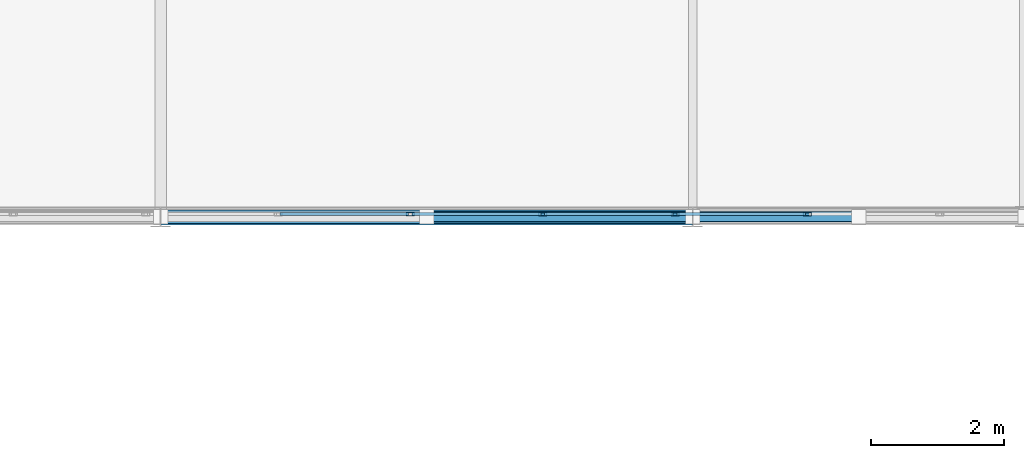
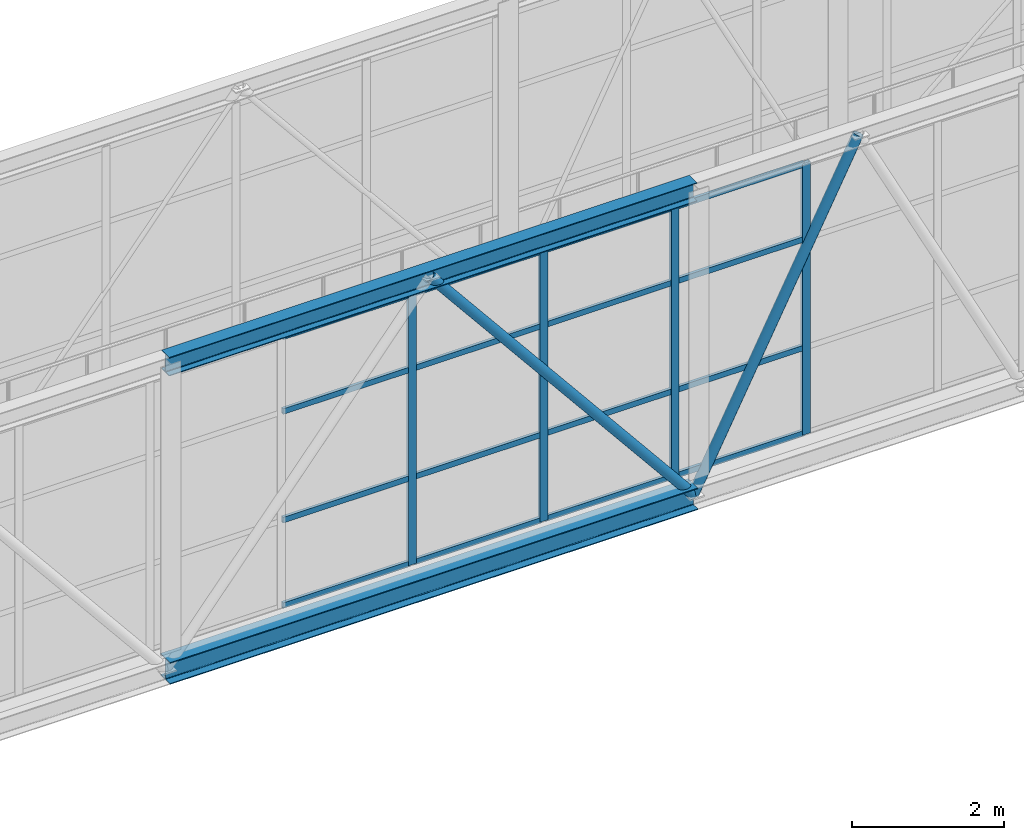
# One storey, part 168 of 248: 24 members, 1 element without a shape of its own.
"""IFC4 building model written with IfcOpenShell, lengths in metres."""

from ifc_helpers import new_model, si_unit, direction, frame, origin, origin_2d, place, context, subcontext, project, spatial, hollow_rectangle, hollow_circle, i_section, extrude, material, layer, layer_set, material_profile, profile_set, type_object, element, aggregate, save


model = new_model("IFC4")

# Units and contexts
model_context = context("Model", 3, precision=1e-05, world=origin(), true_north=direction((0.0, 1.0)))
body_context = subcontext(model_context, "Body", "Model", "MODEL_VIEW")
ifc_project = project(units=[si_unit("LENGTHUNIT", "METRE"), si_unit("AREAUNIT", "SQUARE_METRE"), si_unit("VOLUMEUNIT", "CUBIC_METRE"), si_unit("PLANEANGLEUNIT", "RADIAN"), si_unit("MASSUNIT", "GRAM", prefix="KILO")], contexts=[model_context])

# Site, building, storey
site_placement = place(None, origin())
site = spatial("IfcSite", under=ifc_project, at=site_placement, CompositionType="ELEMENT")
building_placement = place(site_placement, origin())
building = spatial("IfcBuilding", under=site, at=building_placement, Name="Canggui Botanical Conservatory", CompositionType="ELEMENT")
storey_placement = place(building_placement, frame((0.0, 0.0, 5.39990234375)))
storey = spatial("IfcBuildingStorey", under=building, at=storey_placement, Name="L02", CompositionType="ELEMENT", Elevation=5.39990234375)

# Curtain wall, members
ifc_material_1 = material(Name="Thermally Broken Aluminium", Category="aluminium")
ifc_layer = layer(ifc_material_1, 0.1201171875, Name="Thermally Broken Aluminium", Category="aluminium")
ifc_layer_set = layer_set([ifc_layer], Name="Thermally Broken Aluminium")
curtain_wall_type = type_object("IfcCurtainWallType", Name="CW-STICK-B", PredefinedType="USERDEFINED", material=ifc_layer_set)
curtain_wall_placement = place(storey_placement, origin())
curtain_wall = element("IfcCurtainWall", 1, at=curtain_wall_placement, inside=storey, type_object=curtain_wall_type, Name="Facade Curtain Wall CW-SB-04-1", ObjectType="STICK GLAZED WALL", PredefinedType="USERDEFINED")
ifc_material_profile_1 = material_profile(ifc_material_1, hollow_rectangle(XDim=0.054931640625, YDim=0.1201171875, WallThickness=0.0029296875, at=origin_2d()), Name="CWM 55x120x3")
ifc_profile_set_1 = profile_set([ifc_material_profile_1], Name="Thermally Broken Aluminium")
member_type_1 = type_object("IfcMemberType", Name="CWM-05", PredefinedType="MULLION", material=ifc_profile_set_1)
member_1_placement = place(storey_placement, frame((109.25634765625, 75.0400390625, 0.0), z_axis=(0.0, 0.0, 1.0), x_axis=(0.0, 1.0, 0.0)))
member_1 = element("IfcMember", 2, at=member_1_placement, type_object=member_type_1, Name="CW-05 mullion 22", PredefinedType="MULLION", context=body_context, shape_type="SweptSolid", body=[
    extrude(hollow_rectangle(XDim=0.054931640625, YDim=0.1201171875, WallThickness=0.0029296875, at=origin_2d()), origin(), (0.0, 0.0, 1.0), 4.35009765625),
])
member_2_placement = place(storey_placement, frame((111.245849609375, 75.0400390625, 0.0), z_axis=(0.0, 0.0, 1.0), x_axis=(0.0, 1.0, 0.0)))
member_2 = element("IfcMember", 3, at=member_2_placement, type_object=member_type_1, Name="CW-05 mullion 23", PredefinedType="MULLION", context=body_context, shape_type="SweptSolid", body=[
    extrude(hollow_rectangle(XDim=0.054931640625, YDim=0.1201171875, WallThickness=0.0029296875, at=origin_2d()), origin(), (0.0, 0.0, 1.0), 4.35009765625),
])
member_3_placement = place(storey_placement, frame((113.235107421875, 75.0400390625, 0.0), z_axis=(0.0, 0.0, 1.0), x_axis=(0.0, 1.0, 0.0)))
member_3 = element("IfcMember", 4, at=member_3_placement, type_object=member_type_1, Name="CW-05 mullion 24", PredefinedType="MULLION", context=body_context, shape_type="SweptSolid", body=[
    extrude(hollow_rectangle(XDim=0.054931640625, YDim=0.1201171875, WallThickness=0.0029296875, at=origin_2d()), origin(), (0.0, 0.0, 1.0), 4.35009765625),
])
member_4_placement = place(storey_placement, frame((115.224609375, 75.0400390625, 0.0), z_axis=(0.0, 0.0, 1.0), x_axis=(0.0, 1.0, 0.0)))
member_4 = element("IfcMember", 5, at=member_4_placement, type_object=member_type_1, Name="CW-05 mullion 25", PredefinedType="MULLION", context=body_context, shape_type="SweptSolid", body=[
    extrude(hollow_rectangle(XDim=0.054931640625, YDim=0.1201171875, WallThickness=0.0029296875, at=origin_2d()), origin(), (0.0, 0.0, 1.0), 4.35009765625),
])
ifc_material_profile_2 = material_profile(ifc_material_1, hollow_rectangle(XDim=0.044921875, YDim=0.090087890625, WallThickness=0.0029296875, at=origin_2d()), Name="CWT 45x90x3")
ifc_profile_set_2 = profile_set([ifc_material_profile_2], Name="Thermally Broken Aluminium")
member_type_2 = type_object("IfcMemberType", Name="CWT-05", PredefinedType="USERDEFINED", material=ifc_profile_set_2)
member_5_placement = place(storey_placement, frame((107.294677734375, 75.0400390625, 0.022705078125), z_axis=(1.0, 0.0, 0.0), x_axis=(0.0, 1.0, 0.0)))
member_5 = element("IfcMember", 6, at=member_5_placement, type_object=member_type_2, Name="CW-05 transom 21.1", ObjectType="TRANSOM", PredefinedType="USERDEFINED", context=body_context, shape_type="SweptSolid", body=[
    extrude(hollow_rectangle(XDim=0.044921875, YDim=0.090087890625, WallThickness=0.0029296875, at=origin_2d()), origin(), (0.0, 0.0, 1.0), 1.934326171875),
])
member_6_placement = place(storey_placement, frame((107.294677734375, 75.0400390625, 1.39208984375), z_axis=(1.0, 0.0, 0.0), x_axis=(0.0, 1.0, 0.0)))
member_6 = element("IfcMember", 7, at=member_6_placement, type_object=member_type_2, Name="CW-05 transom 21.2", ObjectType="TRANSOM", PredefinedType="USERDEFINED", context=body_context, shape_type="SweptSolid", body=[
    extrude(hollow_rectangle(XDim=0.044921875, YDim=0.090087890625, WallThickness=0.0029296875, at=origin_2d()), origin(), (0.0, 0.0, 1.0), 1.934326171875),
])
member_7_placement = place(storey_placement, frame((107.294677734375, 75.0400390625, 3.132080078125), z_axis=(1.0, 0.0, 0.0), x_axis=(0.0, 1.0, 0.0)))
member_7 = element("IfcMember", 8, at=member_7_placement, type_object=member_type_2, Name="CW-05 transom 21.3", ObjectType="TRANSOM", PredefinedType="USERDEFINED", context=body_context, shape_type="SweptSolid", body=[
    extrude(hollow_rectangle(XDim=0.044921875, YDim=0.090087890625, WallThickness=0.0029296875, at=origin_2d()), origin(), (0.0, 0.0, 1.0), 1.934326171875),
])
member_8_placement = place(storey_placement, frame((107.294677734375, 75.0400390625, 4.32763671875), z_axis=(1.0, 0.0, 0.0), x_axis=(0.0, 1.0, 0.0)))
member_8 = element("IfcMember", 9, at=member_8_placement, type_object=member_type_2, Name="CW-05 transom 21.4", ObjectType="TRANSOM", PredefinedType="USERDEFINED", context=body_context, shape_type="SweptSolid", body=[
    extrude(hollow_rectangle(XDim=0.044921875, YDim=0.090087890625, WallThickness=0.0029296875, at=origin_2d()), origin(), (0.0, 0.0, 1.0), 1.934326171875),
])
member_9_placement = place(storey_placement, frame((109.283935546875, 75.0400390625, 0.022705078125), z_axis=(1.0, 0.0, 0.0), x_axis=(0.0, 1.0, 0.0)))
member_9 = element("IfcMember", 10, at=member_9_placement, type_object=member_type_2, Name="CW-05 transom 22.1", ObjectType="TRANSOM", PredefinedType="USERDEFINED", context=body_context, shape_type="SweptSolid", body=[
    extrude(hollow_rectangle(XDim=0.044921875, YDim=0.090087890625, WallThickness=0.0029296875, at=origin_2d()), origin(), (0.0, 0.0, 1.0), 1.934326171875),
])
member_10_placement = place(storey_placement, frame((109.283935546875, 75.0400390625, 1.39208984375), z_axis=(1.0, 0.0, 0.0), x_axis=(0.0, 1.0, 0.0)))
member_10 = element("IfcMember", 11, at=member_10_placement, type_object=member_type_2, Name="CW-05 transom 22.2", ObjectType="TRANSOM", PredefinedType="USERDEFINED", context=body_context, shape_type="SweptSolid", body=[
    extrude(hollow_rectangle(XDim=0.044921875, YDim=0.090087890625, WallThickness=0.0029296875, at=origin_2d()), origin(), (0.0, 0.0, 1.0), 1.934326171875),
])
member_11_placement = place(storey_placement, frame((109.283935546875, 75.0400390625, 3.132080078125), z_axis=(1.0, 0.0, 0.0), x_axis=(0.0, 1.0, 0.0)))
member_11 = element("IfcMember", 12, at=member_11_placement, type_object=member_type_2, Name="CW-05 transom 22.3", ObjectType="TRANSOM", PredefinedType="USERDEFINED", context=body_context, shape_type="SweptSolid", body=[
    extrude(hollow_rectangle(XDim=0.044921875, YDim=0.090087890625, WallThickness=0.0029296875, at=origin_2d()), origin(), (0.0, 0.0, 1.0), 1.934326171875),
])
member_12_placement = place(storey_placement, frame((109.283935546875, 75.0400390625, 4.32763671875), z_axis=(1.0, 0.0, 0.0), x_axis=(0.0, 1.0, 0.0)))
member_12 = element("IfcMember", 13, at=member_12_placement, type_object=member_type_2, Name="CW-05 transom 22.4", ObjectType="TRANSOM", PredefinedType="USERDEFINED", context=body_context, shape_type="SweptSolid", body=[
    extrude(hollow_rectangle(XDim=0.044921875, YDim=0.090087890625, WallThickness=0.0029296875, at=origin_2d()), origin(), (0.0, 0.0, 1.0), 1.934326171875),
])
member_13_placement = place(storey_placement, frame((111.273193359375, 75.0400390625, 0.022705078125), z_axis=(1.0, 0.0, 0.0), x_axis=(0.0, 1.0, 0.0)))
member_13 = element("IfcMember", 14, at=member_13_placement, type_object=member_type_2, Name="CW-05 transom 23.1", ObjectType="TRANSOM", PredefinedType="USERDEFINED", context=body_context, shape_type="SweptSolid", body=[
    extrude(hollow_rectangle(XDim=0.044921875, YDim=0.090087890625, WallThickness=0.0029296875, at=origin_2d()), origin(), (0.0, 0.0, 1.0), 1.9345703125),
])
member_14_placement = place(storey_placement, frame((111.273193359375, 75.0400390625, 1.39208984375), z_axis=(1.0, 0.0, 0.0), x_axis=(0.0, 1.0, 0.0)))
member_14 = element("IfcMember", 15, at=member_14_placement, type_object=member_type_2, Name="CW-05 transom 23.2", ObjectType="TRANSOM", PredefinedType="USERDEFINED", context=body_context, shape_type="SweptSolid", body=[
    extrude(hollow_rectangle(XDim=0.044921875, YDim=0.090087890625, WallThickness=0.0029296875, at=origin_2d()), origin(), (0.0, 0.0, 1.0), 1.9345703125),
])
member_15_placement = place(storey_placement, frame((111.273193359375, 75.0400390625, 3.132080078125), z_axis=(1.0, 0.0, 0.0), x_axis=(0.0, 1.0, 0.0)))
member_15 = element("IfcMember", 16, at=member_15_placement, type_object=member_type_2, Name="CW-05 transom 23.3", ObjectType="TRANSOM", PredefinedType="USERDEFINED", context=body_context, shape_type="SweptSolid", body=[
    extrude(hollow_rectangle(XDim=0.044921875, YDim=0.090087890625, WallThickness=0.0029296875, at=origin_2d()), origin(), (0.0, 0.0, 1.0), 1.9345703125),
])
member_16_placement = place(storey_placement, frame((111.273193359375, 75.0400390625, 4.32763671875), z_axis=(1.0, 0.0, 0.0), x_axis=(0.0, 1.0, 0.0)))
member_16 = element("IfcMember", 17, at=member_16_placement, type_object=member_type_2, Name="CW-05 transom 23.4", ObjectType="TRANSOM", PredefinedType="USERDEFINED", context=body_context, shape_type="SweptSolid", body=[
    extrude(hollow_rectangle(XDim=0.044921875, YDim=0.090087890625, WallThickness=0.0029296875, at=origin_2d()), origin(), (0.0, 0.0, 1.0), 1.9345703125),
])
member_17_placement = place(storey_placement, frame((113.2626953125, 75.0400390625, 0.022705078125), z_axis=(1.0, 0.0, 0.0), x_axis=(0.0, 1.0, 0.0)))
member_17 = element("IfcMember", 18, at=member_17_placement, type_object=member_type_2, Name="CW-05 transom 24.1", ObjectType="TRANSOM", PredefinedType="USERDEFINED", context=body_context, shape_type="SweptSolid", body=[
    extrude(hollow_rectangle(XDim=0.044921875, YDim=0.090087890625, WallThickness=0.0029296875, at=origin_2d()), origin(), (0.0, 0.0, 1.0), 1.934326171875),
])
member_18_placement = place(storey_placement, frame((113.2626953125, 75.0400390625, 1.39208984375), z_axis=(1.0, 0.0, 0.0), x_axis=(0.0, 1.0, 0.0)))
member_18 = element("IfcMember", 19, at=member_18_placement, type_object=member_type_2, Name="CW-05 transom 24.2", ObjectType="TRANSOM", PredefinedType="USERDEFINED", context=body_context, shape_type="SweptSolid", body=[
    extrude(hollow_rectangle(XDim=0.044921875, YDim=0.090087890625, WallThickness=0.0029296875, at=origin_2d()), origin(), (0.0, 0.0, 1.0), 1.934326171875),
])
member_19_placement = place(storey_placement, frame((113.2626953125, 75.0400390625, 3.132080078125), z_axis=(1.0, 0.0, 0.0), x_axis=(0.0, 1.0, 0.0)))
member_19 = element("IfcMember", 20, at=member_19_placement, type_object=member_type_2, Name="CW-05 transom 24.3", ObjectType="TRANSOM", PredefinedType="USERDEFINED", context=body_context, shape_type="SweptSolid", body=[
    extrude(hollow_rectangle(XDim=0.044921875, YDim=0.090087890625, WallThickness=0.0029296875, at=origin_2d()), origin(), (0.0, 0.0, 1.0), 1.934326171875),
])
member_20_placement = place(storey_placement, frame((113.2626953125, 75.0400390625, 4.32763671875), z_axis=(1.0, 0.0, 0.0), x_axis=(0.0, 1.0, 0.0)))
member_20 = element("IfcMember", 21, at=member_20_placement, type_object=member_type_2, Name="CW-05 transom 24.4", ObjectType="TRANSOM", PredefinedType="USERDEFINED", context=body_context, shape_type="SweptSolid", body=[
    extrude(hollow_rectangle(XDim=0.044921875, YDim=0.090087890625, WallThickness=0.0029296875, at=origin_2d()), origin(), (0.0, 0.0, 1.0), 1.934326171875),
])
aggregate(curtain_wall, [member_1, member_2, member_3, member_4, member_5, member_6, member_7, member_8, member_9, member_10, member_11, member_12, member_13, member_14, member_15, member_16, member_17, member_18, member_19, member_20])

# Members
ifc_material_2 = material(Name="Steel Q355C", Category="steel")
ifc_material_profile_3 = material_profile(ifc_material_2, hollow_circle(Radius=0.075927734375, WallThickness=0.006103515625, at=origin_2d()), Name="CHS 152x6")
ifc_profile_set_3 = profile_set([ifc_material_profile_3], Name="Steel Q355C")
member_type_3 = type_object("IfcMemberType", Name="MEM-GSD04", PredefinedType="RAFTER", material=ifc_profile_set_3)
member_21_placement = place(storey_placement, frame((109.5, 75.0, 4.550048828125), z_axis=(0.632384053133, 0.0, -0.774655026024), x_axis=(0.0, 1.0, 0.0)))
element("IfcMember", 22, at=member_21_placement, inside=storey, type_object=member_type_3, Name="SB-04 Truss Web Rafter 1.7B", PredefinedType="RAFTER", context=body_context, shape_type="SweptSolid", body=[
    extrude(hollow_circle(Radius=0.075927734375, WallThickness=0.006103515625, at=origin_2d()), origin(), (0.0, 0.0, 1.0), 6.3251953125),
])
member_22_placement = place(storey_placement, frame((113.5, 75.0, -0.349853515625), z_axis=(0.45447752854, 0.0, 0.89075820291), x_axis=(0.0, 1.0, 0.0)))
element("IfcMember", 23, at=member_22_placement, inside=storey, type_object=member_type_3, Name="SB-04 Truss Web Rafter 1.8A", PredefinedType="RAFTER", context=body_context, shape_type="SweptSolid", body=[
    extrude(hollow_circle(Radius=0.075927734375, WallThickness=0.006103515625, at=origin_2d()), origin(), (0.0, 0.0, 1.0), 5.500732421875),
])
ifc_material_3 = material(Name="Steel Q355B", Category="steel")
ifc_material_profile_4 = material_profile(ifc_material_3, i_section(OverallWidth=0.25, OverallDepth=0.35009765625, WebThickness=0.009033203125, FlangeThickness=0.013916015625, FilletRadius=0.02001953125, at=origin_2d()), Name="HM 350x250x9x14")
ifc_profile_set_4 = profile_set([ifc_material_profile_4], Name="Steel Q355B")
member_type_4 = type_object("IfcMemberType", Name="MEM-TC03", PredefinedType="CHORD", material=ifc_profile_set_4)
member_23_placement = place(storey_placement, frame((105.5, 75.0, -0.349853515625), z_axis=(1.0, 0.0, 0.0), x_axis=(0.0, 1.0, 0.0)))
element("IfcMember", 24, at=member_23_placement, inside=storey, type_object=member_type_4, Name="SB-04 Deck Truss Bottom Chord 1.7", PredefinedType="CHORD", context=body_context, shape_type="SweptSolid", body=[
    extrude(i_section(OverallWidth=0.25, OverallDepth=0.35009765625, WebThickness=0.009033203125, FlangeThickness=0.013916015625, FilletRadius=0.02001953125, at=origin_2d()), origin(), (0.0, 0.0, 1.0), 8.0),
])
ifc_material_profile_5 = material_profile(ifc_material_3, i_section(OverallWidth=0.199951171875, OverallDepth=0.300048828125, WebThickness=0.008056640625, FlangeThickness=0.011962890625, FilletRadius=0.01806640625, at=origin_2d()), Name="HM 300x200x8x12")
ifc_profile_set_5 = profile_set([ifc_material_profile_5], Name="Steel Q355B")
member_type_5 = type_object("IfcMemberType", Name="MEM-TC04", PredefinedType="CHORD", material=ifc_profile_set_5)
member_24_placement = place(storey_placement, frame((105.5, 75.0, 4.550048828125), z_axis=(1.0, 0.0, 0.0), x_axis=(0.0, 1.0, 0.0)))
element("IfcMember", 25, at=member_24_placement, inside=storey, type_object=member_type_5, Name="SB-04 Roof Truss Top Chord 1.7", PredefinedType="CHORD", context=body_context, shape_type="SweptSolid", body=[
    extrude(i_section(OverallWidth=0.199951171875, OverallDepth=0.300048828125, WebThickness=0.008056640625, FlangeThickness=0.011962890625, FilletRadius=0.01806640625, at=origin_2d()), origin(), (0.0, 0.0, 1.0), 8.0),
])

save(model, "model.ifc")
